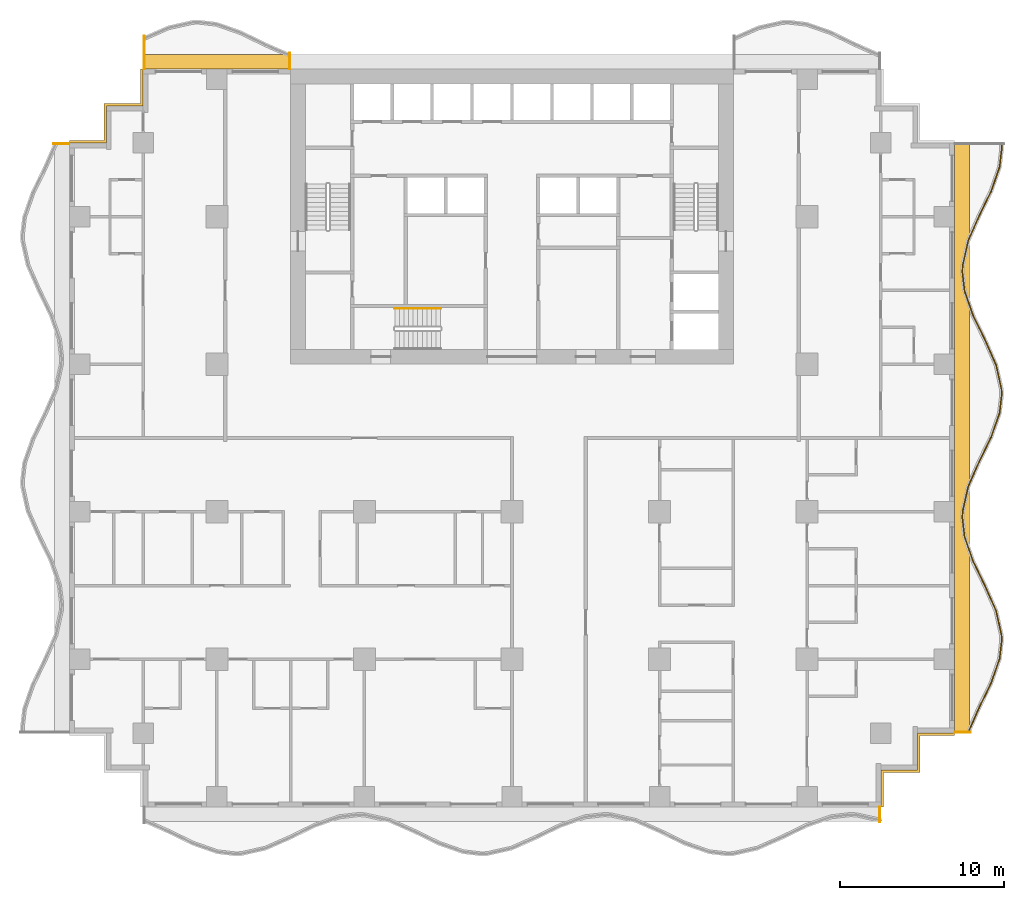
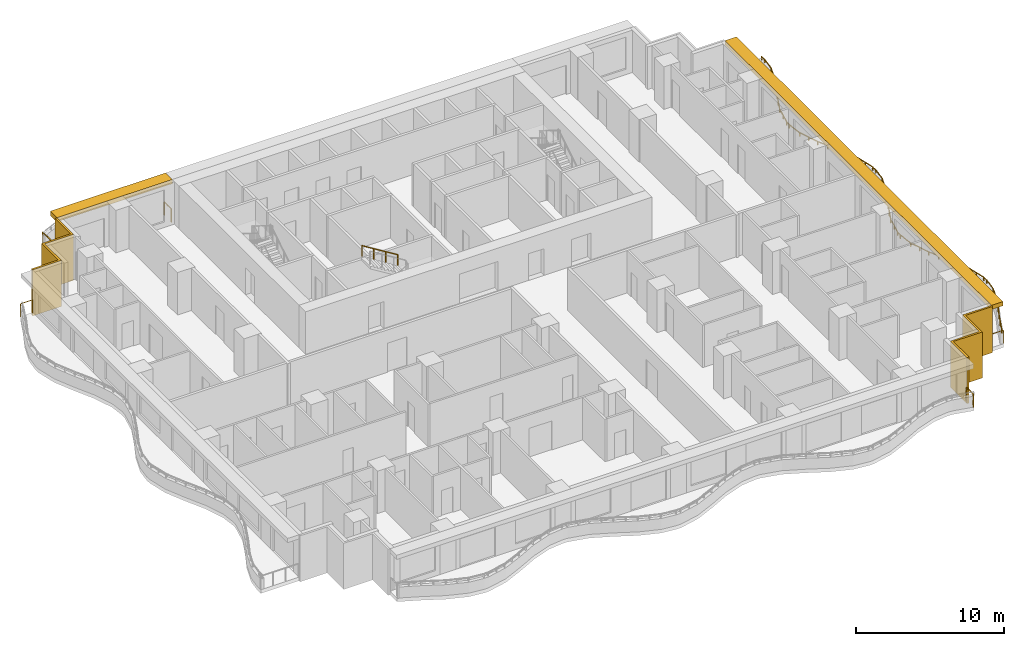
# One storey, part 11 of 14: 7 railings, 4 shading devices.
"""IFC4 building model written with IfcOpenShell, lengths in metres."""

from ifc_helpers import new_model, si_unit, direction, frame, origin, origin_2d, place, context, subcontext, project, spatial, polyline, rectangle, circle, outline, extrude, material, layer, layer_set, type_object, element, save


model = new_model("IFC4")

# Units and contexts
model_context = context("Model", 3, precision=1e-05, world=origin(), true_north=direction((0.0, 1.0)))
body_context = subcontext(model_context, "Body", "Model", "MODEL_VIEW")
ifc_project = project(units=[si_unit("LENGTHUNIT", "METRE"), si_unit("AREAUNIT", "SQUARE_METRE"), si_unit("VOLUMEUNIT", "CUBIC_METRE"), si_unit("PLANEANGLEUNIT", "RADIAN"), si_unit("MASSUNIT", "GRAM", prefix="KILO")], contexts=[model_context])

# Site, building, storey
site_placement = place(None, origin())
site = spatial("IfcSite", under=ifc_project, at=site_placement, CompositionType="ELEMENT")
building_placement = place(site_placement, origin())
building = spatial("IfcBuilding", under=site, at=building_placement, Name="Orbiselva Terraces", CompositionType="ELEMENT")
storey_placement = place(building_placement, frame((0.0, 0.0, 103.6)))
storey = spatial("IfcBuildingStorey", under=building, at=storey_placement, Name="L26", CompositionType="ELEMENT", Elevation=103.6)

# Railings
ifc_material_1 = material(Name="Stainless steel", Category="steel")
railing_type_1 = type_object("IfcRailingType", Name="CORE-HANDRAIL-900", PredefinedType="HANDRAIL", material=ifc_material_1)
railing_1_placement = place(storey_placement, frame((-4.35, 7.9, 2.072727)))
element("IfcRailing", 1, at=railing_1_placement, inside=storey, type_object=railing_type_1, Name="L26 S3 stair handrail 2", PredefinedType="HANDRAIL", context=body_context, shape_type="SweptSolid", body=[
    extrude(circle(Radius=0.024, at=origin_2d()), frame((0.0, 0.0, 0.876), z_axis=(-0.851088519012, 0.0, 0.52502222125), x_axis=(0.0, -1.0, 0.0)), (0.0, 0.0, 1.0), 3.289905),
    extrude(circle(Radius=0.021, at=origin_2d()), origin(), (0.0, 0.0, 1.0), 0.852),
    extrude(circle(Radius=0.021, at=origin_2d()), frame((-0.933333, 0.0, 0.575758)), (0.0, 0.0, 1.0), 0.852),
    extrude(circle(Radius=0.021, at=origin_2d()), frame((-1.866667, 0.0, 1.151515)), (0.0, 0.0, 1.0), 0.852),
    extrude(circle(Radius=0.021, at=origin_2d()), frame((-2.8, 0.0, 1.727273)), (0.0, 0.0, 1.0), 0.852),
])
ifc_material_2 = material(Name="Bonded two-ply safety glass balustrade, stainless steel posts", Category="steel")
railing_type_2 = type_object("IfcRailingType", Name="ENV-BALUSTRADE-1200", PredefinedType="BALUSTRADE", material=ifc_material_2)
railing_2_placement = place(storey_placement, frame((27.83708, -17.949606, 0.9)))
element("IfcRailing", 2, at=railing_2_placement, inside=storey, type_object=railing_type_2, Name="Balcony balustrade L26 E", PredefinedType="BALUSTRADE", context=body_context, shape_type="SweptSolid", body=[
    extrude(outline(polyline([(0.028868, 0.0), (0.014434, 0.025), (-0.014434, 0.025), (-0.028868, 0.0), (-0.014434, -0.025), (0.014434, -0.025), (0.028868, 0.0)])), frame((0.0, 0.0, 0.275), z_axis=(0.403151175476, 0.915133394491, 0.0), x_axis=(-0.915133394491, 0.403151175476, 0.0)), (0.0, 0.0, 1.0), 1.641563),
    extrude(outline(polyline([(0.028868, 0.0), (0.014434, 0.025), (-0.014434, 0.025), (-0.028868, 0.0), (-0.014434, -0.025), (0.014434, -0.025), (0.028868, 0.0)])), frame((0.661798, 1.502249, 0.275), z_axis=(0.438811978768, 0.89857890432, 0.0), x_axis=(-0.89857890432, 0.438811978768, 0.0)), (0.0, 0.0, 1.0), 1.66438),
    extrude(outline(polyline([(0.028868, 0.0), (0.014434, 0.025), (-0.014434, 0.025), (-0.028868, 0.0), (-0.014434, -0.025), (0.014434, -0.025), (0.028868, 0.0)])), frame((1.392148, 2.997826, 0.275), z_axis=(0.330024754707, 0.943972277814, 0.0), x_axis=(-0.943972277814, 0.330024754707, 0.0)), (0.0, 0.0, 1.0), 1.567807),
    extrude(outline(polyline([(0.028868, 0.0), (0.014434, 0.025), (-0.014434, 0.025), (-0.028868, 0.0), (-0.014434, -0.025), (0.014434, -0.025), (0.028868, 0.0)])), frame((1.909563, 4.477792, 0.275), z_axis=(0.115481264762, 0.993309658409, 0.0), x_axis=(-0.993309658409, 0.115481264762, 0.0)), (0.0, 0.0, 1.0), 1.10902),
    extrude(outline(polyline([(0.028868, 0.0), (0.014434, 0.025), (-0.014434, 0.025), (-0.028868, 0.0), (-0.014434, -0.025), (0.014434, -0.025), (0.028868, 0.0)])), frame((2.037634, 5.579392, 0.275), z_axis=(-0.039364150694, 0.999224931454, 0.0), x_axis=(-0.999224931454, -0.039364150694, 0.0)), (0.0, 0.0, 1.0), 0.354206),
    extrude(outline(polyline([(0.028868, 0.0), (0.014434, 0.025), (-0.014434, 0.025), (-0.028868, 0.0), (-0.014434, -0.025), (0.014434, -0.025), (0.028868, 0.0)])), frame((2.023691, 5.933323, 0.275), z_axis=(-0.219015740235, 0.975721325753, 0.0), x_axis=(-0.975721325753, -0.219015740235, 0.0)), (0.0, 0.0, 1.0), 1.513782),
    extrude(outline(polyline([(0.028868, 0.0), (0.014434, 0.025), (-0.014434, 0.025), (-0.028868, 0.0), (-0.014434, -0.025), (0.014434, -0.025), (0.028868, 0.0)])), frame((1.692149, 7.410352, 0.275), z_axis=(-0.403151245402, 0.915133363686, 0.0), x_axis=(-0.915133363686, -0.403151245402, 0.0)), (0.0, 0.0, 1.0), 1.624475),
    extrude(outline(polyline([(0.028868, 0.0), (0.014434, 0.025), (-0.014434, 0.025), (-0.028868, 0.0), (-0.014434, -0.025), (0.014434, -0.025), (0.028868, 0.0)])), frame((1.03724, 8.896963, 0.275), z_axis=(-0.438812048596, 0.898578870221, 0.0), x_axis=(-0.898578870221, -0.438812048596, 0.0)), (0.0, 0.0, 1.0), 1.674225),
    extrude(outline(polyline([(0.028868, 0.0), (0.014434, 0.025), (-0.014434, 0.025), (-0.028868, 0.0), (-0.014434, -0.025), (0.014434, -0.025), (0.028868, 0.0)])), frame((0.30257, 10.401386, 0.275), z_axis=(-0.330024597479, 0.943972332783, 0.0), x_axis=(-0.943972332783, -0.330024597479, 0.0)), (0.0, 0.0, 1.0), 1.610253),
    extrude(outline(polyline([(0.028868, 0.0), (0.014434, 0.025), (-0.014434, 0.025), (-0.028868, 0.0), (-0.014434, -0.025), (0.014434, -0.025), (0.028868, 0.0)])), frame((-0.228853, 11.92142, 0.275), z_axis=(-0.115482182324, 0.993309551734, 0.0), x_axis=(-0.993309551734, -0.115482182324, 0.0)), (0.0, 0.0, 1.0), 1.156135),
    extrude(outline(polyline([(0.028868, 0.0), (0.014434, 0.025), (-0.014434, 0.025), (-0.028868, 0.0), (-0.014434, -0.025), (0.014434, -0.025), (0.028868, 0.0)])), frame((-0.362366, 13.06982, 0.275), z_axis=(0.03936915532, 0.999224734286, 0.0), x_axis=(-0.999224734286, 0.03936915532, 0.0)), (0.0, 0.0, 1.0), 0.396376),
    extrude(outline(polyline([(0.028868, 0.0), (0.014434, 0.025), (-0.014434, 0.025), (-0.028868, 0.0), (-0.014434, -0.025), (0.014434, -0.025), (0.028868, 0.0)])), frame((-0.346761, 13.465889, 0.275), z_axis=(0.219015500924, 0.97572137947, 0.0), x_axis=(-0.97572137947, 0.219015500924, 0.0)), (0.0, 0.0, 1.0), 1.560867),
    extrude(outline(polyline([(0.028868, 0.0), (0.014434, 0.025), (-0.014434, 0.025), (-0.028868, 0.0), (-0.014434, -0.025), (0.014434, -0.025), (0.028868, 0.0)])), frame((-0.004907, 14.98886, 0.275), z_axis=(0.403150874148, 0.915133527237, 0.0), x_axis=(-0.915133527237, 0.403150874148, 0.0)), (0.0, 0.0, 1.0), 1.653736),
    extrude(outline(polyline([(0.028868, 0.0), (0.014434, 0.025), (-0.014434, 0.025), (-0.028868, 0.0), (-0.014434, -0.025), (0.014434, -0.025), (0.028868, 0.0)])), frame((0.661798, 16.502249, 0.275), z_axis=(0.438811978768, 0.89857890432, 0.0), x_axis=(-0.89857890432, 0.438811978768, 0.0)), (0.0, 0.0, 1.0), 1.66438),
    extrude(outline(polyline([(0.028868, 0.0), (0.014434, 0.025), (-0.014434, 0.025), (-0.028868, 0.0), (-0.014434, -0.025), (0.014434, -0.025), (0.028868, 0.0)])), frame((1.392148, 17.997826, 0.275), z_axis=(0.330024754707, 0.943972277814, 0.0), x_axis=(-0.943972277814, 0.330024754707, 0.0)), (0.0, 0.0, 1.0), 1.567807),
    extrude(outline(polyline([(0.028868, 0.0), (0.014434, 0.025), (-0.014434, 0.025), (-0.028868, 0.0), (-0.014434, -0.025), (0.014434, -0.025), (0.028868, 0.0)])), frame((1.909563, 19.477792, 0.275), z_axis=(0.115481264762, 0.993309658409, 0.0), x_axis=(-0.993309658409, 0.115481264762, 0.0)), (0.0, 0.0, 1.0), 1.10902),
    extrude(outline(polyline([(0.028868, 0.0), (0.014434, 0.025), (-0.014434, 0.025), (-0.028868, 0.0), (-0.014434, -0.025), (0.014434, -0.025), (0.028868, 0.0)])), frame((2.037634, 20.579392, 0.275), z_axis=(-0.039364150694, 0.999224931454, 0.0), x_axis=(-0.999224931454, -0.039364150694, 0.0)), (0.0, 0.0, 1.0), 0.354206),
    extrude(outline(polyline([(0.028868, 0.0), (0.014434, 0.025), (-0.014434, 0.025), (-0.028868, 0.0), (-0.014434, -0.025), (0.014434, -0.025), (0.028868, 0.0)])), frame((2.023691, 20.933323, 0.275), z_axis=(-0.219015740235, 0.975721325753, 0.0), x_axis=(-0.975721325753, -0.219015740235, 0.0)), (0.0, 0.0, 1.0), 1.513782),
    extrude(outline(polyline([(0.028868, 0.0), (0.014434, 0.025), (-0.014434, 0.025), (-0.028868, 0.0), (-0.014434, -0.025), (0.014434, -0.025), (0.028868, 0.0)])), frame((1.692149, 22.410352, 0.275), z_axis=(-0.403151245402, 0.915133363686, 0.0), x_axis=(-0.915133363686, -0.403151245402, 0.0)), (0.0, 0.0, 1.0), 1.624475),
    extrude(outline(polyline([(0.028868, 0.0), (0.014434, 0.025), (-0.014434, 0.025), (-0.028868, 0.0), (-0.014434, -0.025), (0.014434, -0.025), (0.028868, 0.0)])), frame((1.03724, 23.896963, 0.275), z_axis=(-0.438812048596, 0.898578870221, 0.0), x_axis=(-0.898578870221, -0.438812048596, 0.0)), (0.0, 0.0, 1.0), 1.674225),
    extrude(outline(polyline([(0.028868, 0.0), (0.014434, 0.025), (-0.014434, 0.025), (-0.028868, 0.0), (-0.014434, -0.025), (0.014434, -0.025), (0.028868, 0.0)])), frame((0.30257, 25.401386, 0.275), z_axis=(-0.330024597479, 0.943972332783, 0.0), x_axis=(-0.943972332783, -0.330024597479, 0.0)), (0.0, 0.0, 1.0), 1.610253),
    extrude(outline(polyline([(0.028868, 0.0), (0.014434, 0.025), (-0.014434, 0.025), (-0.028868, 0.0), (-0.014434, -0.025), (0.014434, -0.025), (0.028868, 0.0)])), frame((-0.228853, 26.92142, 0.275), z_axis=(-0.115482182324, 0.993309551734, 0.0), x_axis=(-0.993309551734, -0.115482182324, 0.0)), (0.0, 0.0, 1.0), 1.156135),
    extrude(outline(polyline([(0.028868, 0.0), (0.014434, 0.025), (-0.014434, 0.025), (-0.028868, 0.0), (-0.014434, -0.025), (0.014434, -0.025), (0.028868, 0.0)])), frame((-0.362366, 28.06982, 0.275), z_axis=(0.03936915532, 0.999224734286, 0.0), x_axis=(-0.999224734286, 0.03936915532, 0.0)), (0.0, 0.0, 1.0), 0.396376),
    extrude(outline(polyline([(0.028868, 0.0), (0.014434, 0.025), (-0.014434, 0.025), (-0.028868, 0.0), (-0.014434, -0.025), (0.014434, -0.025), (0.028868, 0.0)])), frame((-0.346761, 28.465889, 0.275), z_axis=(0.219015500924, 0.97572137947, 0.0), x_axis=(-0.97572137947, 0.219015500924, 0.0)), (0.0, 0.0, 1.0), 1.560867),
    extrude(outline(polyline([(0.028868, 0.0), (0.014434, 0.025), (-0.014434, 0.025), (-0.028868, 0.0), (-0.014434, -0.025), (0.014434, -0.025), (0.028868, 0.0)])), frame((-0.004907, 29.98886, 0.275), z_axis=(0.403150874148, 0.915133527237, 0.0), x_axis=(-0.915133527237, 0.403150874148, 0.0)), (0.0, 0.0, 1.0), 1.653736),
    extrude(outline(polyline([(0.028868, 0.0), (0.014434, 0.025), (-0.014434, 0.025), (-0.028868, 0.0), (-0.014434, -0.025), (0.014434, -0.025), (0.028868, 0.0)])), frame((0.661798, 31.502249, 0.275), z_axis=(0.438811978768, 0.89857890432, 0.0), x_axis=(-0.89857890432, 0.438811978768, 0.0)), (0.0, 0.0, 1.0), 1.66438),
    extrude(outline(polyline([(0.028868, 0.0), (0.014434, 0.025), (-0.014434, 0.025), (-0.028868, 0.0), (-0.014434, -0.025), (0.014434, -0.025), (0.028868, 0.0)])), frame((1.392148, 32.997826, 0.275), z_axis=(0.330024754707, 0.943972277814, 0.0), x_axis=(-0.943972277814, 0.330024754707, 0.0)), (0.0, 0.0, 1.0), 1.567807),
    extrude(outline(polyline([(0.028868, 0.0), (0.014434, 0.025), (-0.014434, 0.025), (-0.028868, 0.0), (-0.014434, -0.025), (0.014434, -0.025), (0.028868, 0.0)])), frame((1.909563, 34.477792, 0.275), z_axis=(0.115481264762, 0.993309658409, 0.0), x_axis=(-0.993309658409, 0.115481264762, 0.0)), (0.0, 0.0, 1.0), 1.10902),
    extrude(outline(polyline([(0.028868, 0.0), (0.014434, 0.025), (-0.014434, 0.025), (-0.028868, 0.0), (-0.014434, -0.025), (0.014434, -0.025), (0.028868, 0.0)])), frame((2.037634, 35.579392, 0.275), z_axis=(-0.039365236599, 0.999224888675, 0.0), x_axis=(-0.999224888675, -0.039365236599, 0.0)), (0.0, 0.0, 1.0), 0.365576),
    extrude(rectangle(XDim=0.05, YDim=0.05, at=origin_2d()), origin(), (0.0, 0.0, 1.0), 0.25),
    extrude(rectangle(XDim=0.05, YDim=0.05, at=origin_2d()), frame((0.330899, 0.751124, 0.0)), (0.0, 0.0, 1.0), 0.25),
    extrude(rectangle(XDim=0.05, YDim=0.05, at=origin_2d()), frame((0.661798, 1.502249, 0.0)), (0.0, 0.0, 1.0), 0.25),
    extrude(rectangle(XDim=0.05, YDim=0.05, at=origin_2d()), frame((1.026973, 2.250037, 0.0)), (0.0, 0.0, 1.0), 0.25),
    extrude(rectangle(XDim=0.05, YDim=0.05, at=origin_2d()), frame((1.392148, 2.997826, 0.0)), (0.0, 0.0, 1.0), 0.25),
    extrude(rectangle(XDim=0.05, YDim=0.05, at=origin_2d()), frame((1.650855, 3.737809, 0.0)), (0.0, 0.0, 1.0), 0.25),
    extrude(rectangle(XDim=0.05, YDim=0.05, at=origin_2d()), frame((1.909563, 4.477792, 0.0)), (0.0, 0.0, 1.0), 0.25),
    extrude(rectangle(XDim=0.05, YDim=0.05, at=origin_2d()), frame((2.037634, 5.579392, 0.0)), (0.0, 0.0, 1.0), 0.25),
    extrude(rectangle(XDim=0.05, YDim=0.05, at=origin_2d()), frame((2.023691, 5.933323, 0.0)), (0.0, 0.0, 1.0), 0.25),
    extrude(rectangle(XDim=0.05, YDim=0.05, at=origin_2d()), frame((1.85792, 6.671838, 0.0)), (0.0, 0.0, 1.0), 0.25),
    extrude(rectangle(XDim=0.05, YDim=0.05, at=origin_2d()), frame((1.692149, 7.410352, 0.0)), (0.0, 0.0, 1.0), 0.25),
    extrude(rectangle(XDim=0.05, YDim=0.05, at=origin_2d()), frame((1.364695, 8.153658, 0.0)), (0.0, 0.0, 1.0), 0.25),
    extrude(rectangle(XDim=0.05, YDim=0.05, at=origin_2d()), frame((1.03724, 8.896963, 0.0)), (0.0, 0.0, 1.0), 0.25),
    extrude(rectangle(XDim=0.05, YDim=0.05, at=origin_2d()), frame((0.669905, 9.649174, 0.0)), (0.0, 0.0, 1.0), 0.25),
    extrude(rectangle(XDim=0.05, YDim=0.05, at=origin_2d()), frame((0.30257, 10.401386, 0.0)), (0.0, 0.0, 1.0), 0.25),
    extrude(rectangle(XDim=0.05, YDim=0.05, at=origin_2d()), frame((0.036858, 11.161403, 0.0)), (0.0, 0.0, 1.0), 0.25),
    extrude(rectangle(XDim=0.05, YDim=0.05, at=origin_2d()), frame((-0.228853, 11.92142, 0.0)), (0.0, 0.0, 1.0), 0.25),
    extrude(rectangle(XDim=0.05, YDim=0.05, at=origin_2d()), frame((-0.362366, 13.06982, 0.0)), (0.0, 0.0, 1.0), 0.25),
    extrude(rectangle(XDim=0.05, YDim=0.05, at=origin_2d()), frame((-0.346761, 13.465889, 0.0)), (0.0, 0.0, 1.0), 0.25),
    extrude(rectangle(XDim=0.05, YDim=0.05, at=origin_2d()), frame((-0.175834, 14.227374, 0.0)), (0.0, 0.0, 1.0), 0.25),
    extrude(rectangle(XDim=0.05, YDim=0.05, at=origin_2d()), frame((-0.004907, 14.98886, 0.0)), (0.0, 0.0, 1.0), 0.25),
    extrude(rectangle(XDim=0.05, YDim=0.05, at=origin_2d()), frame((0.328446, 15.745554, 0.0)), (0.0, 0.0, 1.0), 0.25),
    extrude(rectangle(XDim=0.05, YDim=0.05, at=origin_2d()), frame((0.661798, 16.502249, 0.0)), (0.0, 0.0, 1.0), 0.25),
    extrude(rectangle(XDim=0.05, YDim=0.05, at=origin_2d()), frame((1.026973, 17.250037, 0.0)), (0.0, 0.0, 1.0), 0.25),
    extrude(rectangle(XDim=0.05, YDim=0.05, at=origin_2d()), frame((1.392148, 17.997826, 0.0)), (0.0, 0.0, 1.0), 0.25),
    extrude(rectangle(XDim=0.05, YDim=0.05, at=origin_2d()), frame((1.650855, 18.737809, 0.0)), (0.0, 0.0, 1.0), 0.25),
    extrude(rectangle(XDim=0.05, YDim=0.05, at=origin_2d()), frame((1.909563, 19.477792, 0.0)), (0.0, 0.0, 1.0), 0.25),
    extrude(rectangle(XDim=0.05, YDim=0.05, at=origin_2d()), frame((2.037634, 20.579392, 0.0)), (0.0, 0.0, 1.0), 0.25),
    extrude(rectangle(XDim=0.05, YDim=0.05, at=origin_2d()), frame((2.023691, 20.933323, 0.0)), (0.0, 0.0, 1.0), 0.25),
    extrude(rectangle(XDim=0.05, YDim=0.05, at=origin_2d()), frame((1.85792, 21.671838, 0.0)), (0.0, 0.0, 1.0), 0.25),
    extrude(rectangle(XDim=0.05, YDim=0.05, at=origin_2d()), frame((1.692149, 22.410352, 0.0)), (0.0, 0.0, 1.0), 0.25),
    extrude(rectangle(XDim=0.05, YDim=0.05, at=origin_2d()), frame((1.364695, 23.153658, 0.0)), (0.0, 0.0, 1.0), 0.25),
    extrude(rectangle(XDim=0.05, YDim=0.05, at=origin_2d()), frame((1.03724, 23.896963, 0.0)), (0.0, 0.0, 1.0), 0.25),
    extrude(rectangle(XDim=0.05, YDim=0.05, at=origin_2d()), frame((0.669905, 24.649174, 0.0)), (0.0, 0.0, 1.0), 0.25),
    extrude(rectangle(XDim=0.05, YDim=0.05, at=origin_2d()), frame((0.30257, 25.401386, 0.0)), (0.0, 0.0, 1.0), 0.25),
    extrude(rectangle(XDim=0.05, YDim=0.05, at=origin_2d()), frame((0.036858, 26.161403, 0.0)), (0.0, 0.0, 1.0), 0.25),
    extrude(rectangle(XDim=0.05, YDim=0.05, at=origin_2d()), frame((-0.228853, 26.92142, 0.0)), (0.0, 0.0, 1.0), 0.25),
    extrude(rectangle(XDim=0.05, YDim=0.05, at=origin_2d()), frame((-0.362366, 28.06982, 0.0)), (0.0, 0.0, 1.0), 0.25),
    extrude(rectangle(XDim=0.05, YDim=0.05, at=origin_2d()), frame((-0.346761, 28.465889, 0.0)), (0.0, 0.0, 1.0), 0.25),
    extrude(rectangle(XDim=0.05, YDim=0.05, at=origin_2d()), frame((-0.175834, 29.227374, 0.0)), (0.0, 0.0, 1.0), 0.25),
    extrude(rectangle(XDim=0.05, YDim=0.05, at=origin_2d()), frame((-0.004907, 29.98886, 0.0)), (0.0, 0.0, 1.0), 0.25),
    extrude(rectangle(XDim=0.05, YDim=0.05, at=origin_2d()), frame((0.328446, 30.745554, 0.0)), (0.0, 0.0, 1.0), 0.25),
    extrude(rectangle(XDim=0.05, YDim=0.05, at=origin_2d()), frame((0.661798, 31.502249, 0.0)), (0.0, 0.0, 1.0), 0.25),
    extrude(rectangle(XDim=0.05, YDim=0.05, at=origin_2d()), frame((1.026973, 32.250038, 0.0)), (0.0, 0.0, 1.0), 0.25),
    extrude(rectangle(XDim=0.05, YDim=0.05, at=origin_2d()), frame((1.392148, 32.997826, 0.0)), (0.0, 0.0, 1.0), 0.25),
    extrude(rectangle(XDim=0.05, YDim=0.05, at=origin_2d()), frame((1.650855, 33.737809, 0.0)), (0.0, 0.0, 1.0), 0.25),
    extrude(rectangle(XDim=0.05, YDim=0.05, at=origin_2d()), frame((1.909563, 34.477792, 0.0)), (0.0, 0.0, 1.0), 0.25),
    extrude(rectangle(XDim=0.05, YDim=0.05, at=origin_2d()), frame((2.037634, 35.579392, 0.0)), (0.0, 0.0, 1.0), 0.25),
    extrude(rectangle(XDim=0.05, YDim=0.05, at=origin_2d()), frame((2.023243, 35.944685, 0.0)), (0.0, 0.0, 1.0), 0.25),
])
ifc_material_3 = material(Name="Stainless steel rail and posts", Category="steel")
railing_type_3 = type_object("IfcRailingType", Name="ENV-GUARD-1105", PredefinedType="BALUSTRADE", material=ifc_material_3)
railing_3_placement = place(storey_placement, frame((22.44, -23.430416, 0.0)))
element("IfcRailing", 3, at=railing_3_placement, inside=storey, type_object=railing_type_3, Name="Balcony end guard L26 S", PredefinedType="BALUSTRADE", context=body_context, shape_type="SweptSolid", body=[
    extrude(outline(polyline([(0.028868, 0.0), (0.014434, 0.025), (-0.014434, 0.025), (-0.028868, 0.0), (-0.014434, -0.025), (0.014434, -0.025), (0.028868, 0.0)])), frame((0.0, 0.0, 1.08), z_axis=(0.0, 1.0, 0.0), x_axis=(-1.0, 0.0, 0.0)), (0.0, 0.0, 1.0), 0.905416),
    extrude(rectangle(XDim=0.05, YDim=0.05, at=origin_2d()), origin(), (0.0, 0.0, 1.0), 1.055),
    extrude(rectangle(XDim=0.05, YDim=0.05, at=origin_2d()), frame((0.0, 0.905416, 0.0)), (0.0, 0.0, 1.0), 1.055),
])
railing_4_placement = place(storey_placement, frame((27.973063, -17.94, 0.0)))
element("IfcRailing", 4, at=railing_4_placement, inside=storey, type_object=railing_type_3, Name="Balcony end guard L26 E", PredefinedType="BALUSTRADE", context=body_context, shape_type="SweptSolid", body=[
    extrude(outline(polyline([(0.028868, 0.0), (0.014434, 0.025), (-0.014434, 0.025), (-0.028868, 0.0), (-0.014434, -0.025), (0.014434, -0.025), (0.028868, 0.0)])), frame((0.0, 0.0, 1.08), z_axis=(-1.0, 0.0, 0.0), x_axis=(0.0, -1.0, 0.0)), (0.0, 0.0, 1.0), 0.948063),
    extrude(rectangle(XDim=0.05, YDim=0.05, at=origin_2d()), origin(), (0.0, 0.0, 1.0), 1.055),
    extrude(rectangle(XDim=0.05, YDim=0.05, at=origin_2d()), frame((-0.948063, 0.0, 0.0)), (0.0, 0.0, 1.0), 1.055),
])
railing_5_placement = place(storey_placement, frame((-13.56, 23.473063, 0.0)))
element("IfcRailing", 5, at=railing_5_placement, inside=storey, type_object=railing_type_3, Name="Balcony end guard L26 NW", PredefinedType="BALUSTRADE", context=body_context, shape_type="SweptSolid", body=[
    extrude(outline(polyline([(0.028868, 0.0), (0.014434, 0.025), (-0.014434, 0.025), (-0.028868, 0.0), (-0.014434, -0.025), (0.014434, -0.025), (0.028868, 0.0)])), frame((0.0, 0.0, 1.08), z_axis=(0.0, -1.0, 0.0), x_axis=(1.0, 0.0, 0.0)), (0.0, 0.0, 1.0), 0.948063),
    extrude(rectangle(XDim=0.05, YDim=0.05, at=origin_2d()), origin(), (0.0, 0.0, 1.0), 1.055),
    extrude(rectangle(XDim=0.05, YDim=0.05, at=origin_2d()), frame((0.0, -0.948063, 0.0)), (0.0, 0.0, 1.0), 1.055),
])
railing_6_placement = place(storey_placement, frame((-22.44, 24.517447, 0.0)))
element("IfcRailing", 6, at=railing_6_placement, inside=storey, type_object=railing_type_3, Name="Balcony end guard L26 NW", PredefinedType="BALUSTRADE", context=body_context, shape_type="SweptSolid", body=[
    extrude(outline(polyline([(0.028868, 0.0), (0.014434, 0.025), (-0.014434, 0.025), (-0.028868, 0.0), (-0.014434, -0.025), (0.014434, -0.025), (0.028868, 0.0)])), frame((0.0, 0.0, 1.08), z_axis=(0.0, -1.0, 0.0), x_axis=(1.0, 0.0, 0.0)), (0.0, 0.0, 1.0), 1.992447),
    extrude(rectangle(XDim=0.05, YDim=0.05, at=origin_2d()), origin(), (0.0, 0.0, 1.0), 1.055),
    extrude(rectangle(XDim=0.05, YDim=0.05, at=origin_2d()), frame((0.0, -0.996224, 0.0)), (0.0, 0.0, 1.0), 1.055),
    extrude(rectangle(XDim=0.05, YDim=0.05, at=origin_2d()), frame((0.0, -1.992447, 0.0)), (0.0, 0.0, 1.0), 1.055),
])
railing_7_placement = place(storey_placement, frame((-27.973063, 17.94, 0.0)))
element("IfcRailing", 7, at=railing_7_placement, inside=storey, type_object=railing_type_3, Name="Balcony end guard L26 W", PredefinedType="BALUSTRADE", context=body_context, shape_type="SweptSolid", body=[
    extrude(outline(polyline([(0.028868, 0.0), (0.014434, 0.025), (-0.014434, 0.025), (-0.028868, 0.0), (-0.014434, -0.025), (0.014434, -0.025), (0.028868, 0.0)])), frame((0.0, 0.0, 1.08), z_axis=(1.0, 0.0, 0.0), x_axis=(0.0, 1.0, 0.0)), (0.0, 0.0, 1.0), 0.948063),
    extrude(rectangle(XDim=0.05, YDim=0.05, at=origin_2d()), origin(), (0.0, 0.0, 1.0), 1.055),
    extrude(rectangle(XDim=0.05, YDim=0.05, at=origin_2d()), frame((0.948063, 0.0, 0.0)), (0.0, 0.0, 1.0), 1.055),
])

# Shading devices
ifc_material_4 = material(Name="Terracotta louvre screen", Category="masonry")
ifc_layer_1 = layer(ifc_material_4, 0.15)
ifc_layer_set_1 = layer_set([ifc_layer_1], Name="Terracotta louvre screen")
shading_device_type_1 = type_object("IfcShadingDeviceType", Name="ENV-SCREEN-150", PredefinedType="USERDEFINED", material=ifc_layer_set_1)
shading_device_1_placement = place(storey_placement, frame((0.0, 0.0, -0.3)))
element("IfcShadingDevice", 8, at=shading_device_1_placement, inside=storey, type_object=shading_device_type_1, Name="Louvre screen L26 NW", ObjectType="SCREEN", PredefinedType="USERDEFINED", context=body_context, shape_type="SweptSolid", body=[
    extrude(outline(polyline([(-22.65, 22.5), (-22.65, 20.4), (-24.9, 20.4), (-24.9, 18.15), (-27.0, 18.15), (-27.0, 18.0), (-24.75, 18.0), (-24.75, 20.25), (-22.5, 20.25), (-22.5, 22.5), (-22.65, 22.5)])), origin(), (0.0, 0.0, 1.0), 3.8),
])
shading_device_2_placement = place(storey_placement, frame((0.0, 0.0, -0.3)))
element("IfcShadingDevice", 9, at=shading_device_2_placement, inside=storey, type_object=shading_device_type_1, Name="Louvre screen L26 SE", ObjectType="SCREEN", PredefinedType="USERDEFINED", context=body_context, shape_type="SweptSolid", body=[
    extrude(outline(polyline([(22.65, -22.5), (22.65, -20.4), (24.9, -20.4), (24.9, -18.15), (27.0, -18.15), (27.0, -18.0), (24.75, -18.0), (24.75, -20.25), (22.5, -20.25), (22.5, -22.5), (22.65, -22.5)])), origin(), (0.0, 0.0, 1.0), 3.8),
])
ifc_material_5 = material(Name="Terracotta baguette sunshade", Category="masonry")
ifc_layer_2 = layer(ifc_material_5, 0.35)
ifc_layer_set_2 = layer_set([ifc_layer_2], Name="Terracotta baguette sunshade")
shading_device_type_2 = type_object("IfcShadingDeviceType", Name="ENV-SUNSHADE-900x350", PredefinedType="USERDEFINED", material=ifc_layer_set_2)
shading_device_3_placement = place(storey_placement, frame((0.0, 0.0, 3.15)))
element("IfcShadingDevice", 10, at=shading_device_3_placement, inside=storey, type_object=shading_device_type_2, Name="Sunshade band L26 E", ObjectType="SUNSHADE", PredefinedType="USERDEFINED", context=body_context, shape_type="SweptSolid", body=[
    extrude(outline(polyline([(27.9, -18.0), (27.9, 18.0), (27.0, 18.0), (27.0, -18.0), (27.9, -18.0)])), origin(), (0.0, 0.0, 1.0), 0.35),
])
shading_device_4_placement = place(storey_placement, frame((0.0, 0.0, 3.15)))
element("IfcShadingDevice", 11, at=shading_device_4_placement, inside=storey, type_object=shading_device_type_2, Name="Sunshade band L26 NW", ObjectType="SUNSHADE", PredefinedType="USERDEFINED", context=body_context, shape_type="SweptSolid", body=[
    extrude(outline(polyline([(-13.5, 23.4), (-22.5, 23.4), (-22.5, 22.5), (-13.5, 22.5), (-13.5, 23.4)])), origin(), (0.0, 0.0, 1.0), 0.35),
])

save(model, "model.ifc")
